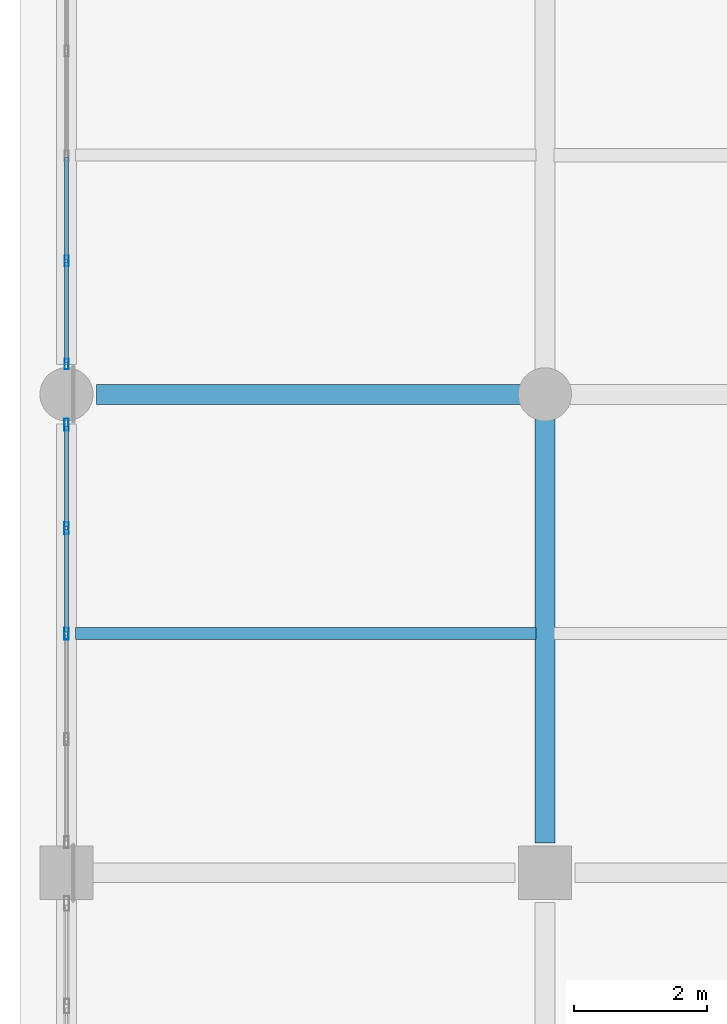
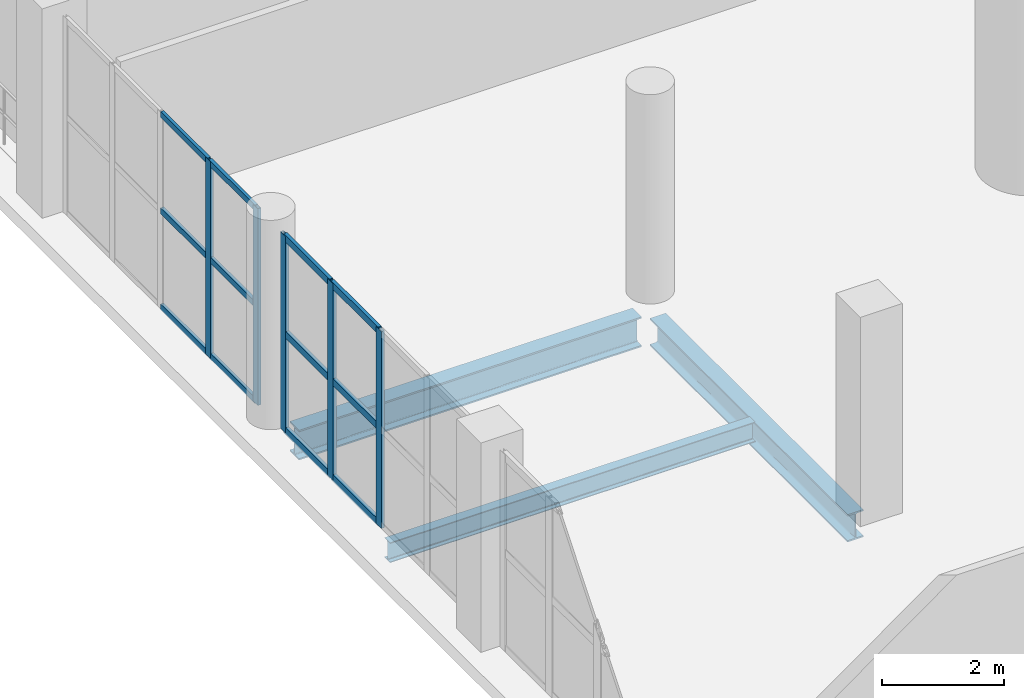
# One storey, part 13 of 153: 17 members, 3 beams, 2 elements without a shape of their own.
"""IFC4 building model written with IfcOpenShell, lengths in metres."""

from ifc_helpers import new_model, si_unit, direction, frame, origin, origin_2d, place, context, subcontext, project, spatial, hollow_rectangle, i_section, extrude, material, material_profile, profile_set, type_object, element, aggregate, save


model = new_model("IFC4")

# Units and contexts
model_context = context("Model", 3, precision=1e-05, world=origin(), true_north=direction((0.0, 1.0)))
body_context = subcontext(model_context, "Body", "Model", "MODEL_VIEW")
ifc_project = project(units=[si_unit("LENGTHUNIT", "METRE"), si_unit("AREAUNIT", "SQUARE_METRE"), si_unit("VOLUMEUNIT", "CUBIC_METRE"), si_unit("PLANEANGLEUNIT", "RADIAN"), si_unit("MASSUNIT", "GRAM", prefix="KILO")], contexts=[model_context])

# Site, building, storey
site_placement = place(None, origin())
site = spatial("IfcSite", under=ifc_project, at=site_placement, CompositionType="ELEMENT")
building_placement = place(site_placement, origin())
building = spatial("IfcBuilding", under=site, at=building_placement, Name="Qandorah Velis Arena", CompositionType="ELEMENT")
storey_placement = place(building_placement, frame((0.0, 0.0, 5.39990234375)))
storey = spatial("IfcBuildingStorey", under=building, at=storey_placement, Name="L01", CompositionType="ELEMENT", Elevation=5.39990234375)

# Curtain wall, members
ifc_material_1 = material(Name="Solar-control low-E double glazing", Category="glass")
curtain_wall_type_1 = type_object("IfcCurtainWallType", Name="ARC-CW-SYS03", PredefinedType="USERDEFINED", material=ifc_material_1)
curtain_wall_1_placement = place(storey_placement, origin())
curtain_wall_1 = element("IfcCurtainWall", 1, at=curtain_wall_1_placement, inside=storey, type_object=curtain_wall_type_1, Name="Unitised curtain wall L01-003", ObjectType="UNITISED CURTAIN WALL", PredefinedType="USERDEFINED")
ifc_material_2 = material(Name="Champagne-bronze anodized aluminium 6063-T6", Category="aluminium")
ifc_material_profile_1 = material_profile(ifc_material_2, hollow_rectangle(XDim=0.06005859375, YDim=0.159912109375, WallThickness=0.00341796875, at=origin_2d()), Name="ALU MULLION 60x160")
ifc_profile_set_1 = profile_set([ifc_material_profile_1], Name="Champagne-bronze anodized aluminium 6063-T6")
member_type_1 = type_object("IfcMemberType", Name="ARC-CWM-160", PredefinedType="MULLION", material=ifc_profile_set_1)
member_1_placement = place(storey_placement, frame((0.0, 29.2548828125, -0.014892578125), z_axis=(0.0, 0.0, 1.0), x_axis=(-1.0, 0.0, 0.0)))
member_1 = element("IfcMember", 2, at=member_1_placement, type_object=member_type_1, Name="CW03 mullion 1", PredefinedType="MULLION", context=body_context, shape_type="SweptSolid", body=[
    extrude(hollow_rectangle(XDim=0.06005859375, YDim=0.159912109375, WallThickness=0.00341796875, at=origin_2d()), origin(), (0.0, 0.0, 1.0), 3.949951171875),
])
member_2_placement = place(storey_placement, frame((0.0, 30.80615234375, -0.014892578125), z_axis=(0.0, 0.0, 1.0), x_axis=(-1.0, 0.0, 0.0)))
member_2 = element("IfcMember", 3, at=member_2_placement, type_object=member_type_1, Name="CW03 mullion 2", PredefinedType="MULLION", context=body_context, shape_type="SweptSolid", body=[
    extrude(hollow_rectangle(XDim=0.06005859375, YDim=0.159912109375, WallThickness=0.00341796875, at=origin_2d()), origin(), (0.0, 0.0, 1.0), 3.949951171875),
])

curtain_wall_type_2 = type_object("IfcCurtainWallType", Name="ARC-CW-SYS02", PredefinedType="USERDEFINED", material=ifc_material_1)
curtain_wall_2_placement = place(storey_placement, origin())
curtain_wall_2 = element("IfcCurtainWall", 4, at=curtain_wall_2_placement, inside=storey, type_object=curtain_wall_type_2, Name="Unitised curtain wall L01-002", ObjectType="UNITISED CURTAIN WALL", PredefinedType="USERDEFINED")
ifc_material_profile_2 = material_profile(ifc_material_2, hollow_rectangle(XDim=0.06494140625, YDim=0.179931640625, WallThickness=0.00341796875, at=origin_2d()), Name="ALU MULLION 65x180")
ifc_profile_set_2 = profile_set([ifc_material_profile_2], Name="Champagne-bronze anodized aluminium 6063-T6")
member_type_2 = type_object("IfcMemberType", Name="ARC-CWM-180", PredefinedType="MULLION", material=ifc_profile_set_2)
member_3_placement = place(storey_placement, frame((0.0, 25.199951171875, -0.014892578125), z_axis=(0.0, 0.0, 1.0), x_axis=(-1.0, 0.0, 0.0)))
member_3 = element("IfcMember", 5, at=member_3_placement, type_object=member_type_2, Name="CW02 mullion 3", PredefinedType="MULLION", context=body_context, shape_type="SweptSolid", body=[
    extrude(hollow_rectangle(XDim=0.06494140625, YDim=0.179931640625, WallThickness=0.00341796875, at=origin_2d()), origin(), (0.0, 0.0, 1.0), 3.949951171875),
])
member_4_placement = place(storey_placement, frame((0.0, 26.78759765625, -0.014892578125), z_axis=(0.0, 0.0, 1.0), x_axis=(-1.0, 0.0, 0.0)))
member_4 = element("IfcMember", 6, at=member_4_placement, type_object=member_type_2, Name="CW02 mullion 4", PredefinedType="MULLION", context=body_context, shape_type="SweptSolid", body=[
    extrude(hollow_rectangle(XDim=0.06494140625, YDim=0.179931640625, WallThickness=0.00341796875, at=origin_2d()), origin(), (0.0, 0.0, 1.0), 3.949951171875),
])
member_5_placement = place(storey_placement, frame((0.0, 28.342529296875, -0.014892578125), z_axis=(0.0, 0.0, 1.0), x_axis=(-1.0, 0.0, 0.0)))
member_5 = element("IfcMember", 7, at=member_5_placement, type_object=member_type_2, Name="CW02 mullion 5", PredefinedType="MULLION", context=body_context, shape_type="SweptSolid", body=[
    extrude(hollow_rectangle(XDim=0.06494140625, YDim=0.179931640625, WallThickness=0.00341796875, at=origin_2d()), origin(), (0.0, 0.0, 1.0), 3.949951171875),
])

# Member
ifc_material_profile_3 = material_profile(ifc_material_2, hollow_rectangle(XDim=0.06005859375, YDim=0.1201171875, WallThickness=0.0029296875, at=origin_2d()), Name="ALU TRANSOM 60x120")
ifc_profile_set_3 = profile_set([ifc_material_profile_3], Name="Champagne-bronze anodized aluminium 6063-T6")
member_type_3 = type_object("IfcMemberType", Name="ARC-CWT-120", PredefinedType="USERDEFINED", material=ifc_profile_set_3)
member_6_placement = place(storey_placement, frame((0.0, 29.27294921875, 0.030029296875), z_axis=(0.0, 1.0, 0.0), x_axis=(-1.0, 0.0, 0.0)))
member_6 = element("IfcMember", 8, at=member_6_placement, type_object=member_type_3, Name="CW03 transom 1.1", ObjectType="TRANSOM", PredefinedType="USERDEFINED", context=body_context, shape_type="SweptSolid", body=[
    extrude(hollow_rectangle(XDim=0.06005859375, YDim=0.1201171875, WallThickness=0.0029296875, at=origin_2d()), origin(), (0.0, 0.0, 1.0), 1.515380859375),
])

member_7_placement = place(storey_placement, frame((0.0, 29.27294921875, 1.960205078125), z_axis=(0.0, 1.0, 0.0), x_axis=(-1.0, 0.0, 0.0)))
member_7 = element("IfcMember", 9, at=member_7_placement, type_object=member_type_3, Name="CW03 transom 1.2", ObjectType="TRANSOM", PredefinedType="USERDEFINED", context=body_context, shape_type="SweptSolid", body=[
    extrude(hollow_rectangle(XDim=0.06005859375, YDim=0.1201171875, WallThickness=0.0029296875, at=origin_2d()), origin(), (0.0, 0.0, 1.0), 1.515380859375),
])

member_8_placement = place(storey_placement, frame((0.0, 29.27294921875, 3.89013671875), z_axis=(0.0, 1.0, 0.0), x_axis=(-1.0, 0.0, 0.0)))
member_8 = element("IfcMember", 10, at=member_8_placement, type_object=member_type_3, Name="CW03 transom 1.3", ObjectType="TRANSOM", PredefinedType="USERDEFINED", context=body_context, shape_type="SweptSolid", body=[
    extrude(hollow_rectangle(XDim=0.06005859375, YDim=0.1201171875, WallThickness=0.0029296875, at=origin_2d()), origin(), (0.0, 0.0, 1.0), 1.515380859375),
])

member_9_placement = place(storey_placement, frame((0.0, 30.82421875, 0.030029296875), z_axis=(0.0, 1.0, 0.0), x_axis=(-1.0, 0.0, 0.0)))
member_9 = element("IfcMember", 11, at=member_9_placement, type_object=member_type_3, Name="CW03 transom 2.1", ObjectType="TRANSOM", PredefinedType="USERDEFINED", context=body_context, shape_type="SweptSolid", body=[
    extrude(hollow_rectangle(XDim=0.06005859375, YDim=0.1201171875, WallThickness=0.0029296875, at=origin_2d()), origin(), (0.0, 0.0, 1.0), 1.545166015625),
])

member_10_placement = place(storey_placement, frame((0.0, 30.82421875, 1.960205078125), z_axis=(0.0, 1.0, 0.0), x_axis=(-1.0, 0.0, 0.0)))
member_10 = element("IfcMember", 12, at=member_10_placement, type_object=member_type_3, Name="CW03 transom 2.2", ObjectType="TRANSOM", PredefinedType="USERDEFINED", context=body_context, shape_type="SweptSolid", body=[
    extrude(hollow_rectangle(XDim=0.06005859375, YDim=0.1201171875, WallThickness=0.0029296875, at=origin_2d()), origin(), (0.0, 0.0, 1.0), 1.545166015625),
])

member_11_placement = place(storey_placement, frame((0.0, 30.82421875, 3.89013671875), z_axis=(0.0, 1.0, 0.0), x_axis=(-1.0, 0.0, 0.0)))
member_11 = element("IfcMember", 13, at=member_11_placement, type_object=member_type_3, Name="CW03 transom 2.3", ObjectType="TRANSOM", PredefinedType="USERDEFINED", context=body_context, shape_type="SweptSolid", body=[
    extrude(hollow_rectangle(XDim=0.06005859375, YDim=0.1201171875, WallThickness=0.0029296875, at=origin_2d()), origin(), (0.0, 0.0, 1.0), 1.545166015625),
])

aggregate(curtain_wall_1, [member_1, member_2, member_6, member_7, member_8, member_9, member_10, member_11])

ifc_material_profile_4 = material_profile(ifc_material_2, hollow_rectangle(XDim=0.06494140625, YDim=0.139892578125, WallThickness=0.0029296875, at=origin_2d()), Name="ALU TRANSOM 65x140")
ifc_profile_set_4 = profile_set([ifc_material_profile_4], Name="Champagne-bronze anodized aluminium 6063-T6")
member_type_4 = type_object("IfcMemberType", Name="ARC-CWT-140", PredefinedType="USERDEFINED", material=ifc_profile_set_4)
member_12_placement = place(storey_placement, frame((0.0, 25.220458984375, 0.03271484375), z_axis=(0.0, 1.0, 0.0), x_axis=(-1.0, 0.0, 0.0)))
member_12 = element("IfcMember", 14, at=member_12_placement, type_object=member_type_4, Name="CW02 transom 3.1", ObjectType="TRANSOM", PredefinedType="USERDEFINED", context=body_context, shape_type="SweptSolid", body=[
    extrude(hollow_rectangle(XDim=0.06494140625, YDim=0.139892578125, WallThickness=0.0029296875, at=origin_2d()), origin(), (0.0, 0.0, 1.0), 1.546630859375),
])

member_13_placement = place(storey_placement, frame((0.0, 25.220458984375, 1.960205078125), z_axis=(0.0, 1.0, 0.0), x_axis=(-1.0, 0.0, 0.0)))
member_13 = element("IfcMember", 15, at=member_13_placement, type_object=member_type_4, Name="CW02 transom 3.2", ObjectType="TRANSOM", PredefinedType="USERDEFINED", context=body_context, shape_type="SweptSolid", body=[
    extrude(hollow_rectangle(XDim=0.06494140625, YDim=0.139892578125, WallThickness=0.0029296875, at=origin_2d()), origin(), (0.0, 0.0, 1.0), 1.546630859375),
])

member_14_placement = place(storey_placement, frame((0.0, 25.220458984375, 3.8876953125), z_axis=(0.0, 1.0, 0.0), x_axis=(-1.0, 0.0, 0.0)))
member_14 = element("IfcMember", 16, at=member_14_placement, type_object=member_type_4, Name="CW02 transom 3.3", ObjectType="TRANSOM", PredefinedType="USERDEFINED", context=body_context, shape_type="SweptSolid", body=[
    extrude(hollow_rectangle(XDim=0.06494140625, YDim=0.139892578125, WallThickness=0.0029296875, at=origin_2d()), origin(), (0.0, 0.0, 1.0), 1.546630859375),
])

member_15_placement = place(storey_placement, frame((0.0, 26.80810546875, 0.03271484375), z_axis=(0.0, 1.0, 0.0), x_axis=(-1.0, 0.0, 0.0)))
member_15 = element("IfcMember", 17, at=member_15_placement, type_object=member_type_4, Name="CW02 transom 4.1", ObjectType="TRANSOM", PredefinedType="USERDEFINED", context=body_context, shape_type="SweptSolid", body=[
    extrude(hollow_rectangle(XDim=0.06494140625, YDim=0.139892578125, WallThickness=0.0029296875, at=origin_2d()), origin(), (0.0, 0.0, 1.0), 1.513916015625),
])

member_16_placement = place(storey_placement, frame((0.0, 26.80810546875, 1.960205078125), z_axis=(0.0, 1.0, 0.0), x_axis=(-1.0, 0.0, 0.0)))
member_16 = element("IfcMember", 18, at=member_16_placement, type_object=member_type_4, Name="CW02 transom 4.2", ObjectType="TRANSOM", PredefinedType="USERDEFINED", context=body_context, shape_type="SweptSolid", body=[
    extrude(hollow_rectangle(XDim=0.06494140625, YDim=0.139892578125, WallThickness=0.0029296875, at=origin_2d()), origin(), (0.0, 0.0, 1.0), 1.513916015625),
])

member_17_placement = place(storey_placement, frame((0.0, 26.80810546875, 3.8876953125), z_axis=(0.0, 1.0, 0.0), x_axis=(-1.0, 0.0, 0.0)))
member_17 = element("IfcMember", 19, at=member_17_placement, type_object=member_type_4, Name="CW02 transom 4.3", ObjectType="TRANSOM", PredefinedType="USERDEFINED", context=body_context, shape_type="SweptSolid", body=[
    extrude(hollow_rectangle(XDim=0.06494140625, YDim=0.139892578125, WallThickness=0.0029296875, at=origin_2d()), origin(), (0.0, 0.0, 1.0), 1.513916015625),
])

aggregate(curtain_wall_2, [member_3, member_4, member_5, member_12, member_13, member_14, member_15, member_16, member_17])

# Beams
ifc_material_3 = material(Name="Steel S355", Category="steel")
ifc_material_profile_5 = material_profile(ifc_material_3, i_section(OverallWidth=0.300048828125, OverallDepth=0.550048828125, WebThickness=0.014892578125, FlangeThickness=0.029052734375, FilletRadius=0.027099609375, at=origin_2d()), Name="HEB 550")
ifc_profile_set_5 = profile_set([ifc_material_profile_5], Name="Steel S355")
beam_type_1 = type_object("IfcBeamType", Name="STR-BM-HEB550", PredefinedType="BEAM", material=ifc_profile_set_5)
beam_1_placement = place(storey_placement, frame((7.199951171875, 22.050048828125, -0.635009765625), z_axis=(0.0, 1.0, 0.0), x_axis=(-1.0, 0.0, 0.0)))
element("IfcBeam", 20, at=beam_1_placement, inside=storey, type_object=beam_type_1, Name="Primary floor girder L01 Y-241", PredefinedType="BEAM", context=body_context, shape_type="SweptSolid", body=[
    extrude(i_section(OverallWidth=0.300048828125, OverallDepth=0.550048828125, WebThickness=0.014892578125, FlangeThickness=0.029052734375, FilletRadius=0.027099609375, at=origin_2d()), origin(), (0.0, 0.0, 1.0), 6.5),
])
ifc_material_profile_6 = material_profile(ifc_material_3, i_section(OverallWidth=0.300048828125, OverallDepth=0.60009765625, WebThickness=0.015380859375, FlangeThickness=0.030029296875, FilletRadius=0.027099609375, at=origin_2d()), Name="HEB 600")
ifc_profile_set_6 = profile_set([ifc_material_profile_6], Name="Steel S355")
beam_type_2 = type_object("IfcBeamType", Name="STR-BM-HEB600", PredefinedType="BEAM", material=ifc_profile_set_6)
beam_2_placement = place(storey_placement, frame((0.449951171875, 28.800048828125, -0.659912109375), z_axis=(1.0, 0.0, 0.0), x_axis=(0.0, 1.0, 0.0)))
element("IfcBeam", 21, at=beam_2_placement, inside=storey, type_object=beam_type_2, Name="Primary floor girder L01 X-065", PredefinedType="BEAM", context=body_context, shape_type="SweptSolid", body=[
    extrude(i_section(OverallWidth=0.300048828125, OverallDepth=0.60009765625, WebThickness=0.015380859375, FlangeThickness=0.030029296875, FilletRadius=0.027099609375, at=origin_2d()), origin(), (0.0, 0.0, 1.0), 6.5),
])
ifc_material_profile_7 = material_profile(ifc_material_3, i_section(OverallWidth=0.179931640625, OverallDepth=0.39990234375, WebThickness=0.008544921875, FlangeThickness=0.013427734375, FilletRadius=0.02099609375, at=origin_2d()), Name="IPE 400")
ifc_profile_set_7 = profile_set([ifc_material_profile_7], Name="Steel S355")
beam_type_3 = type_object("IfcBeamType", Name="STR-JST-IPE400", PredefinedType="JOIST", material=ifc_profile_set_7)
beam_3_placement = place(storey_placement, frame((0.135009765625, 25.199951171875, -0.559814453125), z_axis=(1.0, 0.0, 0.0), x_axis=(0.0, 1.0, 0.0)))
element("IfcBeam", 22, at=beam_3_placement, inside=storey, type_object=beam_type_3, Name="Secondary floor joist L01-004", PredefinedType="JOIST", context=body_context, shape_type="SweptSolid", body=[
    extrude(i_section(OverallWidth=0.179931640625, OverallDepth=0.39990234375, WebThickness=0.008544921875, FlangeThickness=0.013427734375, FilletRadius=0.02099609375, at=origin_2d()), origin(), (0.0, 0.0, 1.0), 6.929931640625),
])

save(model, "model.ifc")
